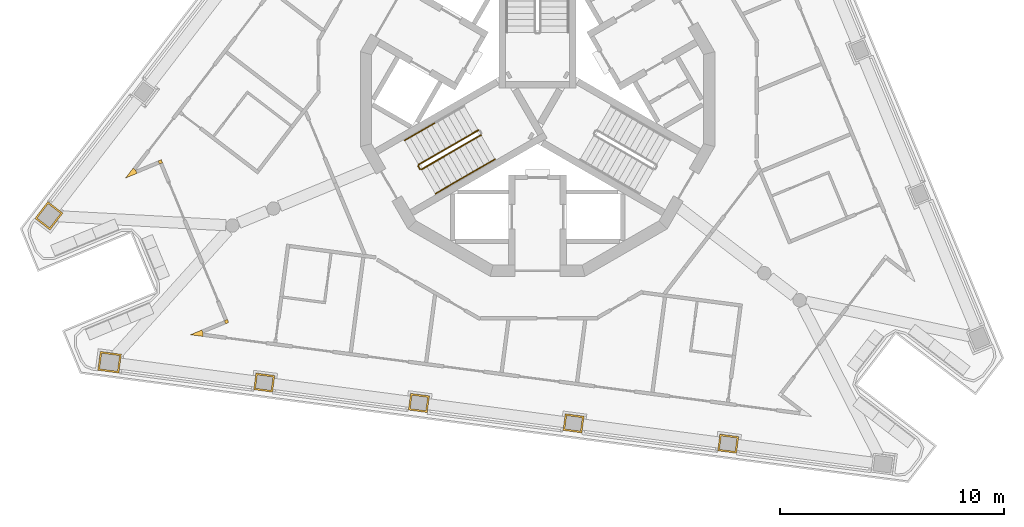
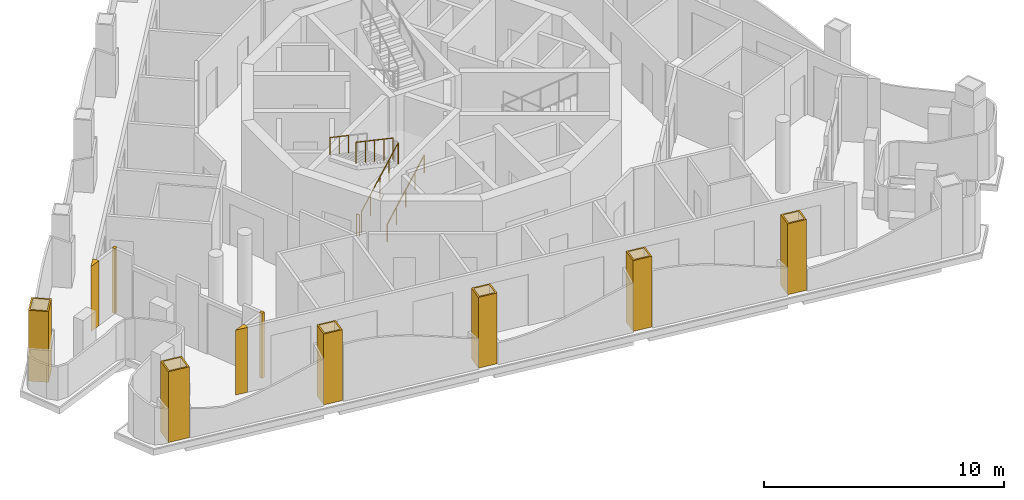
# One storey, part 7 of 12: 10 coverings, 6 railings.
"""IFC4 building model written with IfcOpenShell, lengths in metres."""

from ifc_helpers import new_model, si_unit, direction, frame, origin, origin_2d, place, context, subcontext, project, spatial, polyline, circle, outline, extrude, material, layer, layer_set, type_object, element, save


model = new_model("IFC4")

# Units and contexts
model_context = context("Model", 3, precision=1e-05, world=origin(), true_north=direction((0.0, 1.0)))
body_context = subcontext(model_context, "Body", "Model", "MODEL_VIEW")
ifc_project = project(units=[si_unit("LENGTHUNIT", "METRE"), si_unit("AREAUNIT", "SQUARE_METRE"), si_unit("VOLUMEUNIT", "CUBIC_METRE"), si_unit("PLANEANGLEUNIT", "RADIAN"), si_unit("MASSUNIT", "GRAM", prefix="KILO")], contexts=[model_context])

# Site, building, storey
site_placement = place(None, origin())
site = spatial("IfcSite", under=ifc_project, at=site_placement, CompositionType="ELEMENT")
building_placement = place(site_placement, origin())
building = spatial("IfcBuilding", under=site, at=building_placement, Name="Trine Commons Tower", CompositionType="ELEMENT")
storey_placement = place(building_placement, frame((0.0, 0.0, 279.0)))
storey = spatial("IfcBuildingStorey", under=building, at=storey_placement, Name="L73", CompositionType="ELEMENT", Elevation=279.0)

# Coverings
ifc_material_1 = material(Name="Aluminium-framed insulated wall panel", Category="aluminium")
ifc_layer_1 = layer(ifc_material_1, 0.14990234375)
ifc_layer_set_1 = layer_set([ifc_layer_1], Name="Aluminium-framed insulated wall panel")
covering_type_1 = type_object("IfcCoveringType", Name="Glazing corner post, aluminium", PredefinedType="CLADDING", material=ifc_layer_set_1)
covering_1_placement = place(storey_placement, origin())
element("IfcCovering", 1, at=covering_1_placement, inside=storey, type_object=covering_type_1, Name="Glazing corner post 8-01", PredefinedType="CLADDING", context=body_context, shape_type="SweptSolid", body=[
    extrude(outline(polyline([(62.0380859375, 59.324462890625), (61.919189453125, 59.416015625), (61.578369140625, 58.9716796875), (62.095458984375, 59.18603515625), (62.0380859375, 59.324462890625), (62.0380859375, 59.324462890625)])), origin(), (0.0, 0.0, 1.0), 3.300048828125),
])
covering_2_placement = place(storey_placement, origin())
element("IfcCovering", 2, at=covering_2_placement, inside=storey, type_object=covering_type_1, Name="Glazing corner post 8-10", PredefinedType="CLADDING", context=body_context, shape_type="SweptSolid", body=[
    extrude(outline(polyline([(65.033935546875, 51.895751953125), (65.0537109375, 52.04443359375), (64.99609375, 52.18310546875), (64.47900390625, 51.96875), (65.033935546875, 51.895751953125)])), origin(), (0.0, 0.0, 1.0), 3.300048828125),
])
covering_3_placement = place(storey_placement, origin())
element("IfcCovering", 3, at=covering_3_placement, inside=storey, type_object=covering_type_1, Name="Glazing corner post 8-11", PredefinedType="CLADDING", context=body_context, shape_type="SweptSolid", body=[
    extrude(outline(polyline([(66.056640625, 52.4599609375), (66.1953125, 52.517333984375), (66.137939453125, 52.65576171875), (65.999267578125, 52.598388671875), (66.056640625, 52.4599609375)])), origin(), (0.0, 0.0, 1.0), 3.300048828125),
])
covering_4_placement = place(storey_placement, origin())
element("IfcCovering", 4, at=covering_4_placement, inside=storey, type_object=covering_type_1, Name="Glazing corner post 8-12", PredefinedType="CLADDING", context=body_context, shape_type="SweptSolid", body=[
    extrude(outline(polyline([(63.041015625, 59.739990234375), (63.098388671875, 59.601318359375), (63.237060546875, 59.658935546875), (63.1796875, 59.79736328125), (63.041015625, 59.739990234375)])), origin(), (0.0, 0.0, 1.0), 3.300048828125),
])
ifc_material_2 = material(Name="Limestone, honed", Category="masonry")
ifc_layer_2 = layer(ifc_material_2, 0.074951171875)
ifc_layer_set_2 = layer_set([ifc_layer_2], Name="Limestone, honed")
covering_type_2 = type_object("IfcCoveringType", Name="Limestone column cladding 75", PredefinedType="CLADDING", material=ifc_layer_set_2)
covering_5_placement = place(storey_placement, origin())
element("IfcCovering", 5, at=covering_5_placement, inside=storey, type_object=covering_type_2, Name="Limestone pier cladding 8-02", PredefinedType="CLADDING", context=body_context, shape_type="SweptSolid", body=[
    extrude(outline(polyline([(88.1494140625, 47.526123046875), (88.051513671875, 46.78271484375), (88.89404296875, 46.671630859375), (88.991943359375, 47.415283203125), (88.1494140625, 47.526123046875)]), holes=[polyline([(88.2138671875, 47.44189453125), (88.135498046875, 46.84716796875), (88.82958984375, 46.755859375), (88.907958984375, 47.3505859375), (88.2138671875, 47.44189453125)])]), origin(), (0.0, 0.0, 1.0), 3.60009765625),
])
covering_6_placement = place(storey_placement, origin())
element("IfcCovering", 6, at=covering_6_placement, inside=storey, type_object=covering_type_2, Name="Limestone pier cladding 8-03", PredefinedType="CLADDING", context=body_context, shape_type="SweptSolid", body=[
    extrude(outline(polyline([(81.236328125, 48.436279296875), (81.138427734375, 47.692626953125), (81.981201171875, 47.581787109375), (82.0791015625, 48.3251953125), (81.236328125, 48.436279296875)]), holes=[polyline([(81.30078125, 48.35205078125), (81.222412109375, 47.75732421875), (81.91650390625, 47.666015625), (81.994873046875, 48.2607421875), (81.30078125, 48.35205078125)])]), origin(), (0.0, 0.0, 1.0), 3.60009765625),
])
covering_7_placement = place(storey_placement, origin())
element("IfcCovering", 7, at=covering_7_placement, inside=storey, type_object=covering_type_2, Name="Limestone pier cladding 8-04", PredefinedType="CLADDING", context=body_context, shape_type="SweptSolid", body=[
    extrude(outline(polyline([(74.3232421875, 49.346435546875), (74.225341796875, 48.602783203125), (75.068115234375, 48.49169921875), (75.166015625, 49.2353515625), (74.3232421875, 49.346435546875)]), holes=[polyline([(74.3876953125, 49.26220703125), (74.309326171875, 48.66748046875), (75.00341796875, 48.575927734375), (75.081787109375, 49.1708984375), (74.3876953125, 49.26220703125)])]), origin(), (0.0, 0.0, 1.0), 3.60009765625),
])
covering_8_placement = place(storey_placement, origin())
element("IfcCovering", 8, at=covering_8_placement, inside=storey, type_object=covering_type_2, Name="Limestone pier cladding 8-05", PredefinedType="CLADDING", context=body_context, shape_type="SweptSolid", body=[
    extrude(outline(polyline([(67.41015625, 50.256591796875), (67.312255859375, 49.512939453125), (68.15478515625, 49.40185546875), (68.252685546875, 50.1455078125), (67.41015625, 50.256591796875)]), holes=[polyline([(67.474609375, 50.17236328125), (67.396240234375, 49.577392578125), (68.09033203125, 49.486083984375), (68.168701171875, 50.080810546875), (67.474609375, 50.17236328125)])]), origin(), (0.0, 0.0, 1.0), 3.60009765625),
])
covering_9_placement = place(storey_placement, origin())
element("IfcCovering", 9, at=covering_9_placement, inside=storey, type_object=covering_type_2, Name="Limestone pier cladding 8-06", PredefinedType="CLADDING", context=body_context, shape_type="SweptSolid", body=[
    extrude(outline(polyline([(60.4541015625, 51.22265625), (60.343017578125, 50.3798828125), (61.284912109375, 50.255859375), (61.39599609375, 51.0986328125), (60.4541015625, 51.22265625)]), holes=[polyline([(60.5185546875, 51.138427734375), (60.42724609375, 50.444580078125), (61.220458984375, 50.340087890625), (61.311767578125, 51.0341796875), (60.5185546875, 51.138427734375)])]), origin(), (0.0, 0.0, 1.0), 3.60009765625),
])
covering_10_placement = place(storey_placement, origin())
element("IfcCovering", 10, at=covering_10_placement, inside=storey, type_object=covering_type_2, Name="Limestone pier cladding 8-07", PredefinedType="CLADDING", context=body_context, shape_type="SweptSolid", body=[
    extrude(outline(polyline([(58.782958984375, 57.40673828125), (58.108642578125, 57.92431640625), (57.5302734375, 57.170654296875), (58.20458984375, 56.653076171875), (58.782958984375, 57.40673828125)]), holes=[polyline([(58.677734375, 57.39306640625), (58.122314453125, 57.819091796875), (57.635498046875, 57.184326171875), (58.19091796875, 56.75830078125), (58.677734375, 57.39306640625)])]), origin(), (0.0, 0.0, 1.0), 3.60009765625),
])

# Railings
ifc_material_3 = material(Name="Stainless steel balustrade", Category="steel")
railing_type_1 = type_object("IfcRailingType", Name="Stair guard, steel balustrade 1100", PredefinedType="GUARDRAIL", material=ifc_material_3)
railing_1_placement = place(storey_placement, frame((74.80517578125, 59.3564453125, 0.14990234375)))
element("IfcRailing", 11, at=railing_1_placement, inside=storey, type_object=railing_type_1, Name="L73 ST2D stair guard 1", PredefinedType="GUARDRAIL", context=body_context, shape_type="SweptSolid", body=[
    extrude(circle(Radius=0.02392578125, at=origin_2d()), frame((0.0, 0.0, 1.076171875), z_axis=(0.763379768245, 0.440728498818, 0.472239049384), x_axis=(-0.499992328818, 0.866029832698, 0.0)), (0.0, 0.0, 1.0), 3.494384765625),
    extrude(circle(Radius=0.02099609375, at=origin_2d()), origin(), (0.0, 0.0, 1.0), 1.052001953125),
    extrude(circle(Radius=0.02099609375, at=origin_2d()), frame((0.6669921875, 0.385009765625, 0.41259765625)), (0.0, 0.0, 1.0), 1.052001953125),
    extrude(circle(Radius=0.02099609375, at=origin_2d()), frame((1.333740234375, 0.77001953125, 0.8251953125)), (0.0, 0.0, 1.0), 1.052001953125),
    extrude(circle(Radius=0.02099609375, at=origin_2d()), frame((2.00048828125, 1.155029296875, 1.237548828125)), (0.0, 0.0, 1.0), 1.052001953125),
    extrude(circle(Radius=0.02099609375, at=origin_2d()), frame((2.66748046875, 1.5400390625, 1.650146484375)), (0.0, 0.0, 1.0), 1.052001953125),
])
railing_2_placement = place(storey_placement, frame((77.34765625, 61.113037109375, 1.949951171875)))
element("IfcRailing", 12, at=railing_2_placement, inside=storey, type_object=railing_type_1, Name="L73 ST2D stair guard 3", PredefinedType="GUARDRAIL", context=body_context, shape_type="SweptSolid", body=[
    extrude(circle(Radius=0.02392578125, at=origin_2d()), frame((0.0, 0.0, 1.076171875), z_axis=(-0.763379768245, -0.440728498818, 0.472239049384), x_axis=(0.499992328818, -0.866029832698, 0.0)), (0.0, 0.0, 1.0), 3.494384765625),
    extrude(circle(Radius=0.02099609375, at=origin_2d()), origin(), (0.0, 0.0, 1.0), 1.052001953125),
    extrude(circle(Radius=0.02099609375, at=origin_2d()), frame((-0.6669921875, -0.385009765625, 0.41259765625)), (0.0, 0.0, 1.0), 1.052001953125),
    extrude(circle(Radius=0.02099609375, at=origin_2d()), frame((-1.333740234375, -0.77001953125, 0.8251953125)), (0.0, 0.0, 1.0), 1.052001953125),
    extrude(circle(Radius=0.02099609375, at=origin_2d()), frame((-2.00048828125, -1.155029296875, 1.237548828125)), (0.0, 0.0, 1.0), 1.052001953125),
    extrude(circle(Radius=0.02099609375, at=origin_2d()), frame((-2.66748046875, -1.5400390625, 1.650146484375)), (0.0, 0.0, 1.0), 1.052001953125),
])
railing_3_placement = place(storey_placement, frame((74.73681640625, 59.374755859375, 0.0)))
element("IfcRailing", 13, at=railing_3_placement, inside=storey, type_object=railing_type_1, Name="L73 ST2D stair guard 4", PredefinedType="GUARDRAIL", context=body_context, shape_type="SweptSolid", body=[
    extrude(circle(Radius=0.02392578125, at=origin_2d()), frame((0.0, 0.0, 1.076171875), z_axis=(-0.499816412211, 0.866131372301, 0.0), x_axis=(-0.866131372301, -0.499816412211, 0.0)), (0.0, 0.0, 1.0), 0.14990234375),
    extrude(circle(Radius=0.02099609375, at=origin_2d()), origin(), (0.0, 0.0, 1.0), 1.052001953125),
    extrude(circle(Radius=0.02099609375, at=origin_2d()), frame((-0.074951171875, 0.1298828125, 0.0)), (0.0, 0.0, 1.0), 1.052001953125),
])
ifc_material_4 = material(Name="Stainless steel handrail", Category="steel")
railing_type_2 = type_object("IfcRailingType", Name="Stair handrail, steel 900", PredefinedType="HANDRAIL", material=ifc_material_4)
railing_4_placement = place(storey_placement, frame((75.43017578125, 58.27392578125, 0.14990234375)))
element("IfcRailing", 14, at=railing_4_placement, inside=storey, type_object=railing_type_2, Name="L73 ST2D stair handrail 1", PredefinedType="HANDRAIL", context=body_context, shape_type="SweptSolid", body=[
    extrude(circle(Radius=0.02099609375, at=origin_2d()), frame((0.0, 0.0, 0.87890625), z_axis=(0.763354580307, 0.440713956853, 0.472293333596), x_axis=(-0.499992328818, 0.866029832698, 0.0)), (0.0, 0.0, 1.0), 1.747314453125),
    extrude(circle(Radius=0.01513671875, at=origin_2d()), origin(), (0.0, 0.0, 1.0), 0.85791015625),
    extrude(circle(Radius=0.01513671875, at=origin_2d()), frame((0.6669921875, 0.385009765625, 0.41259765625)), (0.0, 0.0, 1.0), 0.85791015625),
    extrude(circle(Radius=0.01513671875, at=origin_2d()), frame((1.333740234375, 0.77001953125, 0.8251953125)), (0.0, 0.0, 1.0), 0.85791015625),
])
railing_5_placement = place(storey_placement, frame((76.763916015625, 59.0439453125, 0.97509765625)))
element("IfcRailing", 15, at=railing_5_placement, inside=storey, type_object=railing_type_2, Name="L73 ST2D stair handrail 2", PredefinedType="HANDRAIL", context=body_context, shape_type="SweptSolid", body=[
    extrude(circle(Radius=0.02099609375, at=origin_2d()), frame((0.0, 0.0, 0.87890625), z_axis=(0.76340495495, 0.440743040072, 0.472184759798), x_axis=(-0.499992328818, 0.866029832698, 0.0)), (0.0, 0.0, 1.0), 1.7470703125),
    extrude(circle(Radius=0.01513671875, at=origin_2d()), origin(), (0.0, 0.0, 1.0), 0.85791015625),
    extrude(circle(Radius=0.01513671875, at=origin_2d()), frame((0.6669921875, 0.385009765625, 0.41259765625)), (0.0, 0.0, 1.0), 0.85791015625),
    extrude(circle(Radius=0.01513671875, at=origin_2d()), frame((1.333740234375, 0.77001953125, 0.824951171875)), (0.0, 0.0, 1.0), 0.85791015625),
])
railing_6_placement = place(storey_placement, frame((75.388916015625, 61.425537109375, 2.77490234375)))
element("IfcRailing", 16, at=railing_6_placement, inside=storey, type_object=railing_type_2, Name="L73 ST2D stair handrail 4", PredefinedType="HANDRAIL", context=body_context, shape_type="SweptSolid", body=[
    extrude(circle(Radius=0.02099609375, at=origin_2d()), frame((0.0, 0.0, 0.87890625), z_axis=(-0.763354580307, -0.440713956853, 0.472293333596), x_axis=(0.499992328818, -0.866029832698, 0.0)), (0.0, 0.0, 1.0), 1.747314453125),
    extrude(circle(Radius=0.01513671875, at=origin_2d()), origin(), (0.0, 0.0, 1.0), 0.85791015625),
    extrude(circle(Radius=0.01513671875, at=origin_2d()), frame((-0.6669921875, -0.385009765625, 0.41259765625)), (0.0, 0.0, 1.0), 0.85791015625),
    extrude(circle(Radius=0.01513671875, at=origin_2d()), frame((-1.333740234375, -0.77001953125, 0.8251953125)), (0.0, 0.0, 1.0), 0.85791015625),
])

save(model, "model.ifc")
